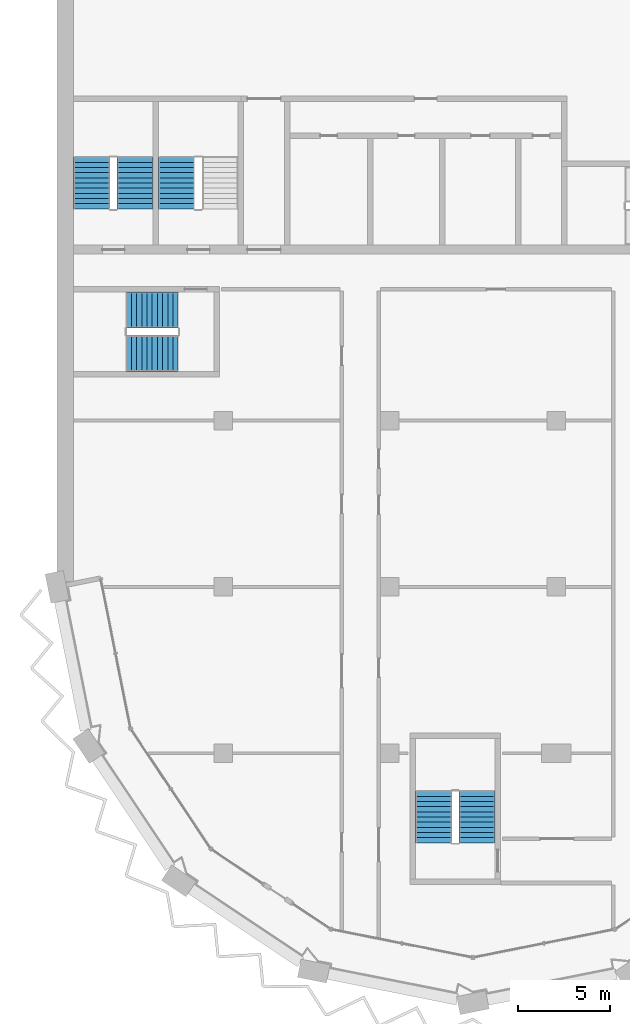
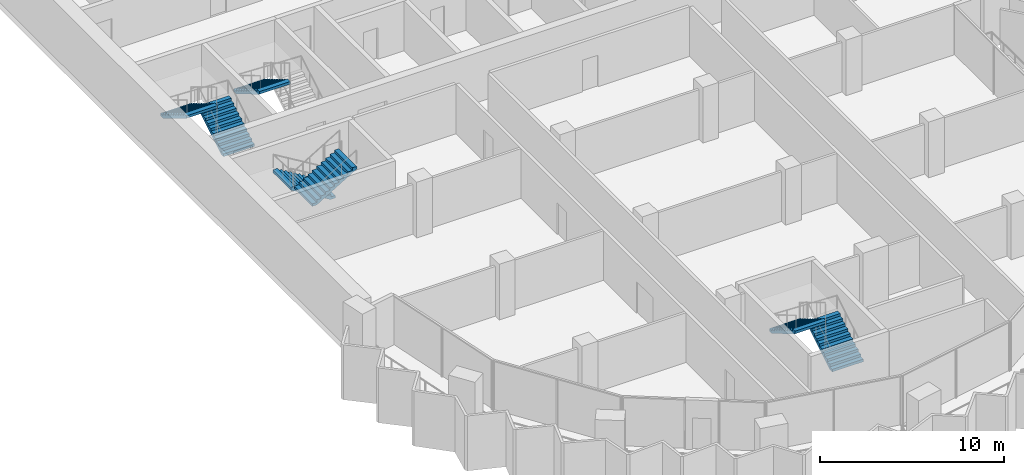
# One storey, part 11 of 16: 7 stair flights, 4 elements without a shape of their own.
"""IFC4 building model written with IfcOpenShell, lengths in metres."""

from ifc_helpers import new_model, si_unit, direction, frame, origin, place, context, subcontext, project, spatial, polyline, outline, extrude, material, type_object, element, aggregate, save


model = new_model("IFC4")

# Units and contexts
model_context = context("Model", 3, precision=1e-05, world=origin(), true_north=direction((0.0, 1.0)))
body_context = subcontext(model_context, "Body", "Model", "MODEL_VIEW")
ifc_project = project(units=[si_unit("LENGTHUNIT", "METRE"), si_unit("AREAUNIT", "SQUARE_METRE"), si_unit("VOLUMEUNIT", "CUBIC_METRE"), si_unit("PLANEANGLEUNIT", "RADIAN"), si_unit("MASSUNIT", "GRAM", prefix="KILO")], contexts=[model_context])

# Site, building, storey
site_placement = place(None, origin())
site = spatial("IfcSite", under=ifc_project, at=site_placement, CompositionType="ELEMENT")
building_placement = place(site_placement, origin())
building = spatial("IfcBuilding", under=site, at=building_placement, Name="Hunhe Ridgeline Campus", CompositionType="ELEMENT")
storey_placement = place(building_placement, frame((0.0, 0.0, 250.300048828125)))
storey = spatial("IfcBuildingStorey", under=building, at=storey_placement, Name="L64", CompositionType="ELEMENT", Elevation=250.300048828125)

# Stair, stair flights
ifc_material = material(Name="Concrete C40", Category="concrete")
stair_type = type_object("IfcStairType", Name="Reinforced concrete dog-leg stair 1950 Concrete C40", PredefinedType="HALF_TURN_STAIR", material=ifc_material)
stair_1_placement = place(storey_placement, origin())
stair_1 = element("IfcStair", 1, at=stair_1_placement, inside=storey, type_object=stair_type, Name="L64 S3", PredefinedType="HALF_TURN_STAIR")
stair_flight_type = type_object("IfcStairFlightType", Name="Reinforced concrete stair flight 1950 Concrete C40", PredefinedType="STRAIGHT", material=ifc_material)
stair_flight_1_placement = place(storey_placement, frame((4.22509765625, 65.449951171875, 0.0), z_axis=(0.0, 0.0, 1.0), x_axis=(0.0, 1.0, 0.0)))
stair_flight_1 = element("IfcStairFlight", 2, at=stair_flight_1_placement, type_object=stair_flight_type, Name="ST3 flight 1", NumberOfRisers=11, NumberOfTreads=10, PredefinedType="STRAIGHT", RiserHeight=0.168181818, TreadLength=0.28, context=body_context, shape_type="SweptSolid", body=[
    extrude(outline(polyline([(0.0, 0.0), (0.0, 0.168212890625), (0.280029296875, 0.168212890625), (0.280029296875, 0.33642578125), (0.56005859375, 0.33642578125), (0.56005859375, 0.504638671875), (0.840087890625, 0.504638671875), (0.840087890625, 0.672607421875), (1.1201171875, 0.672607421875), (1.1201171875, 0.8408203125), (1.39990234375, 0.8408203125), (1.39990234375, 1.009033203125), (1.679931640625, 1.009033203125), (1.679931640625, 1.17724609375), (1.9599609375, 1.17724609375), (1.9599609375, 1.345458984375), (2.239990234375, 1.345458984375), (2.239990234375, 1.513671875), (2.52001953125, 1.513671875), (2.52001953125, 1.681884765625), (2.800048828125, 1.681884765625), (2.800048828125, 1.85009765625), (2.800048828125, 1.5068359375), (0.291015625, 0.0), (0.0, 0.0)])), frame((0.0, 0.97509765625, 0.0), z_axis=(0.0, -1.0, 0.0), x_axis=(1.0, 0.0, 0.0)), (0.0, 0.0, 1.0), 1.949951171875),
    extrude(outline(polyline([(0.030029296875, 0.030029296875), (0.030029296875, 0.13818359375), (0.31005859375, 0.13818359375), (0.31005859375, 0.306396484375), (0.590087890625, 0.306396484375), (0.590087890625, 0.474609375), (0.8701171875, 0.474609375), (0.8701171875, 0.642578125), (1.14990234375, 0.642578125), (1.14990234375, 0.810791015625), (1.429931640625, 0.810791015625), (1.429931640625, 0.97900390625), (1.7099609375, 0.97900390625), (1.7099609375, 1.147216796875), (1.989990234375, 1.147216796875), (1.989990234375, 1.3154296875), (2.27001953125, 1.3154296875), (2.27001953125, 1.483642578125), (2.550048828125, 1.483642578125), (2.550048828125, 1.65185546875), (2.77001953125, 1.65185546875), (2.77001953125, 1.52392578125), (0.28271484375, 0.030029296875), (0.030029296875, 0.030029296875)])), frame((0.0, -0.070068359375, 0.0), z_axis=(0.0, -1.0, 0.0), x_axis=(1.0, 0.0, 0.0)), (0.0, 0.0, 1.0), 0.019775390625),
    extrude(outline(polyline([(0.030029296875, 0.030029296875), (0.030029296875, 0.13818359375), (0.31005859375, 0.13818359375), (0.31005859375, 0.306396484375), (0.590087890625, 0.306396484375), (0.590087890625, 0.474609375), (0.8701171875, 0.474609375), (0.8701171875, 0.642578125), (1.14990234375, 0.642578125), (1.14990234375, 0.810791015625), (1.429931640625, 0.810791015625), (1.429931640625, 0.97900390625), (1.7099609375, 0.97900390625), (1.7099609375, 1.147216796875), (1.989990234375, 1.147216796875), (1.989990234375, 1.3154296875), (2.27001953125, 1.3154296875), (2.27001953125, 1.483642578125), (2.550048828125, 1.483642578125), (2.550048828125, 1.65185546875), (2.77001953125, 1.65185546875), (2.77001953125, 1.52392578125), (0.28271484375, 0.030029296875), (0.030029296875, 0.030029296875)])), frame((0.0, 0.010009765625, 0.0), z_axis=(0.0, -1.0, 0.0), x_axis=(1.0, 0.0, 0.0)), (0.0, 0.0, 1.0), 0.019775390625),
    extrude(outline(polyline([(0.030029296875, 0.030029296875), (0.030029296875, 0.13818359375), (0.31005859375, 0.13818359375), (0.31005859375, 0.306396484375), (0.590087890625, 0.306396484375), (0.590087890625, 0.474609375), (0.8701171875, 0.474609375), (0.8701171875, 0.642578125), (1.14990234375, 0.642578125), (1.14990234375, 0.810791015625), (1.429931640625, 0.810791015625), (1.429931640625, 0.97900390625), (1.7099609375, 0.97900390625), (1.7099609375, 1.147216796875), (1.989990234375, 1.147216796875), (1.989990234375, 1.3154296875), (2.27001953125, 1.3154296875), (2.27001953125, 1.483642578125), (2.550048828125, 1.483642578125), (2.550048828125, 1.65185546875), (2.77001953125, 1.65185546875), (2.77001953125, 1.52392578125), (0.28271484375, 0.030029296875), (0.030029296875, 0.030029296875)])), frame((0.0, 0.090087890625, 0.0), z_axis=(0.0, -1.0, 0.0), x_axis=(1.0, 0.0, 0.0)), (0.0, 0.0, 1.0), 0.019775390625),
])
stair_flight_2_placement = place(storey_placement, frame((1.875, 68.25, 1.849853515625), z_axis=(0.0, 0.0, 1.0), x_axis=(0.0, -1.0, 0.0)))
stair_flight_2 = element("IfcStairFlight", 3, at=stair_flight_2_placement, type_object=stair_flight_type, Name="ST3 flight 2", NumberOfRisers=11, NumberOfTreads=10, PredefinedType="STRAIGHT", RiserHeight=0.168181818, TreadLength=0.28, context=body_context, shape_type="SweptSolid", body=[
    extrude(outline(polyline([(0.0, 0.0), (0.0, 0.168212890625), (0.280029296875, 0.168212890625), (0.280029296875, 0.33642578125), (0.56005859375, 0.33642578125), (0.56005859375, 0.504638671875), (0.840087890625, 0.504638671875), (0.840087890625, 0.672607421875), (1.1201171875, 0.672607421875), (1.1201171875, 0.8408203125), (1.39990234375, 0.8408203125), (1.39990234375, 1.009033203125), (1.679931640625, 1.009033203125), (1.679931640625, 1.17724609375), (1.9599609375, 1.17724609375), (1.9599609375, 1.345458984375), (2.239990234375, 1.345458984375), (2.239990234375, 1.513671875), (2.52001953125, 1.513671875), (2.52001953125, 1.681884765625), (2.800048828125, 1.681884765625), (2.800048828125, 1.85009765625), (2.800048828125, 1.5068359375), (0.291015625, 0.0), (0.0, 0.0)])), frame((0.0, 0.97509765625, 0.0), z_axis=(0.0, -1.0, 0.0), x_axis=(1.0, 0.0, 0.0)), (0.0, 0.0, 1.0), 1.949951171875),
    extrude(outline(polyline([(0.030029296875, 0.030029296875), (0.030029296875, 0.13818359375), (0.31005859375, 0.13818359375), (0.31005859375, 0.306396484375), (0.590087890625, 0.306396484375), (0.590087890625, 0.474609375), (0.8701171875, 0.474609375), (0.8701171875, 0.642578125), (1.14990234375, 0.642578125), (1.14990234375, 0.810791015625), (1.429931640625, 0.810791015625), (1.429931640625, 0.97900390625), (1.7099609375, 0.97900390625), (1.7099609375, 1.147216796875), (1.989990234375, 1.147216796875), (1.989990234375, 1.3154296875), (2.27001953125, 1.3154296875), (2.27001953125, 1.483642578125), (2.550048828125, 1.483642578125), (2.550048828125, 1.65185546875), (2.77001953125, 1.65185546875), (2.77001953125, 1.52392578125), (0.28271484375, 0.030029296875), (0.030029296875, 0.030029296875)])), frame((0.0, -0.070068359375, 0.0), z_axis=(0.0, -1.0, 0.0), x_axis=(1.0, 0.0, 0.0)), (0.0, 0.0, 1.0), 0.019775390625),
    extrude(outline(polyline([(0.030029296875, 0.030029296875), (0.030029296875, 0.13818359375), (0.31005859375, 0.13818359375), (0.31005859375, 0.306396484375), (0.590087890625, 0.306396484375), (0.590087890625, 0.474609375), (0.8701171875, 0.474609375), (0.8701171875, 0.642578125), (1.14990234375, 0.642578125), (1.14990234375, 0.810791015625), (1.429931640625, 0.810791015625), (1.429931640625, 0.97900390625), (1.7099609375, 0.97900390625), (1.7099609375, 1.147216796875), (1.989990234375, 1.147216796875), (1.989990234375, 1.3154296875), (2.27001953125, 1.3154296875), (2.27001953125, 1.483642578125), (2.550048828125, 1.483642578125), (2.550048828125, 1.65185546875), (2.77001953125, 1.65185546875), (2.77001953125, 1.52392578125), (0.28271484375, 0.030029296875), (0.030029296875, 0.030029296875)])), frame((0.0, 0.010009765625, 0.0), z_axis=(0.0, -1.0, 0.0), x_axis=(1.0, 0.0, 0.0)), (0.0, 0.0, 1.0), 0.019775390625),
    extrude(outline(polyline([(0.030029296875, 0.030029296875), (0.030029296875, 0.13818359375), (0.31005859375, 0.13818359375), (0.31005859375, 0.306396484375), (0.590087890625, 0.306396484375), (0.590087890625, 0.474609375), (0.8701171875, 0.474609375), (0.8701171875, 0.642578125), (1.14990234375, 0.642578125), (1.14990234375, 0.810791015625), (1.429931640625, 0.810791015625), (1.429931640625, 0.97900390625), (1.7099609375, 0.97900390625), (1.7099609375, 1.147216796875), (1.989990234375, 1.147216796875), (1.989990234375, 1.3154296875), (2.27001953125, 1.3154296875), (2.27001953125, 1.483642578125), (2.550048828125, 1.483642578125), (2.550048828125, 1.65185546875), (2.77001953125, 1.65185546875), (2.77001953125, 1.52392578125), (0.28271484375, 0.030029296875), (0.030029296875, 0.030029296875)])), frame((0.0, 0.090087890625, 0.0), z_axis=(0.0, -1.0, 0.0), x_axis=(1.0, 0.0, 0.0)), (0.0, 0.0, 1.0), 0.019775390625),
])
aggregate(stair_1, [stair_flight_1, stair_flight_2])

# Stair, stair flight
stair_2_placement = place(storey_placement, origin())
stair_2 = element("IfcStair", 4, at=stair_2_placement, inside=storey, type_object=stair_type, Name="L64 S4", PredefinedType="HALF_TURN_STAIR")
stair_flight_3_placement = place(storey_placement, frame((6.47509765625, 68.25, 1.849853515625), z_axis=(0.0, 0.0, 1.0), x_axis=(0.0, -1.0, 0.0)))
stair_flight_3 = element("IfcStairFlight", 5, at=stair_flight_3_placement, type_object=stair_flight_type, Name="ST4 flight 2", NumberOfRisers=11, NumberOfTreads=10, PredefinedType="STRAIGHT", RiserHeight=0.168181818, TreadLength=0.28, context=body_context, shape_type="SweptSolid", body=[
    extrude(outline(polyline([(0.0, 0.0), (0.0, 0.168212890625), (0.280029296875, 0.168212890625), (0.280029296875, 0.33642578125), (0.56005859375, 0.33642578125), (0.56005859375, 0.504638671875), (0.840087890625, 0.504638671875), (0.840087890625, 0.672607421875), (1.1201171875, 0.672607421875), (1.1201171875, 0.8408203125), (1.39990234375, 0.8408203125), (1.39990234375, 1.009033203125), (1.679931640625, 1.009033203125), (1.679931640625, 1.17724609375), (1.9599609375, 1.17724609375), (1.9599609375, 1.345458984375), (2.239990234375, 1.345458984375), (2.239990234375, 1.513671875), (2.52001953125, 1.513671875), (2.52001953125, 1.681884765625), (2.800048828125, 1.681884765625), (2.800048828125, 1.85009765625), (2.800048828125, 1.5068359375), (0.291015625, 0.0), (0.0, 0.0)])), frame((0.0, 0.97509765625, 0.0), z_axis=(0.0, -1.0, 0.0), x_axis=(1.0, 0.0, 0.0)), (0.0, 0.0, 1.0), 1.949951171875),
    extrude(outline(polyline([(0.030029296875, 0.030029296875), (0.030029296875, 0.13818359375), (0.31005859375, 0.13818359375), (0.31005859375, 0.306396484375), (0.590087890625, 0.306396484375), (0.590087890625, 0.474609375), (0.8701171875, 0.474609375), (0.8701171875, 0.642578125), (1.14990234375, 0.642578125), (1.14990234375, 0.810791015625), (1.429931640625, 0.810791015625), (1.429931640625, 0.97900390625), (1.7099609375, 0.97900390625), (1.7099609375, 1.147216796875), (1.989990234375, 1.147216796875), (1.989990234375, 1.3154296875), (2.27001953125, 1.3154296875), (2.27001953125, 1.483642578125), (2.550048828125, 1.483642578125), (2.550048828125, 1.65185546875), (2.77001953125, 1.65185546875), (2.77001953125, 1.52392578125), (0.28271484375, 0.030029296875), (0.030029296875, 0.030029296875)])), frame((0.0, -0.070068359375, 0.0), z_axis=(0.0, -1.0, 0.0), x_axis=(1.0, 0.0, 0.0)), (0.0, 0.0, 1.0), 0.019775390625),
    extrude(outline(polyline([(0.030029296875, 0.030029296875), (0.030029296875, 0.13818359375), (0.31005859375, 0.13818359375), (0.31005859375, 0.306396484375), (0.590087890625, 0.306396484375), (0.590087890625, 0.474609375), (0.8701171875, 0.474609375), (0.8701171875, 0.642578125), (1.14990234375, 0.642578125), (1.14990234375, 0.810791015625), (1.429931640625, 0.810791015625), (1.429931640625, 0.97900390625), (1.7099609375, 0.97900390625), (1.7099609375, 1.147216796875), (1.989990234375, 1.147216796875), (1.989990234375, 1.3154296875), (2.27001953125, 1.3154296875), (2.27001953125, 1.483642578125), (2.550048828125, 1.483642578125), (2.550048828125, 1.65185546875), (2.77001953125, 1.65185546875), (2.77001953125, 1.52392578125), (0.28271484375, 0.030029296875), (0.030029296875, 0.030029296875)])), frame((0.0, 0.010009765625, 0.0), z_axis=(0.0, -1.0, 0.0), x_axis=(1.0, 0.0, 0.0)), (0.0, 0.0, 1.0), 0.019775390625),
    extrude(outline(polyline([(0.030029296875, 0.030029296875), (0.030029296875, 0.13818359375), (0.31005859375, 0.13818359375), (0.31005859375, 0.306396484375), (0.590087890625, 0.306396484375), (0.590087890625, 0.474609375), (0.8701171875, 0.474609375), (0.8701171875, 0.642578125), (1.14990234375, 0.642578125), (1.14990234375, 0.810791015625), (1.429931640625, 0.810791015625), (1.429931640625, 0.97900390625), (1.7099609375, 0.97900390625), (1.7099609375, 1.147216796875), (1.989990234375, 1.147216796875), (1.989990234375, 1.3154296875), (2.27001953125, 1.3154296875), (2.27001953125, 1.483642578125), (2.550048828125, 1.483642578125), (2.550048828125, 1.65185546875), (2.77001953125, 1.65185546875), (2.77001953125, 1.52392578125), (0.28271484375, 0.030029296875), (0.030029296875, 0.030029296875)])), frame((0.0, 0.090087890625, 0.0), z_axis=(0.0, -1.0, 0.0), x_axis=(1.0, 0.0, 0.0)), (0.0, 0.0, 1.0), 0.019775390625),
])
aggregate(stair_2, [stair_flight_3])

# Stair, stair flights
stair_3_placement = place(storey_placement, origin())
stair_3 = element("IfcStair", 6, at=stair_3_placement, inside=storey, type_object=stair_type, Name="L64 W3", PredefinedType="HALF_TURN_STAIR")
stair_flight_4_placement = place(storey_placement, frame((22.72509765625, 31.14990234375, 0.0), z_axis=(0.0, 0.0, 1.0), x_axis=(0.0, 1.0, 0.0)))
stair_flight_4 = element("IfcStairFlight", 7, at=stair_flight_4_placement, type_object=stair_flight_type, Name="ST9 flight 1", NumberOfRisers=11, NumberOfTreads=10, PredefinedType="STRAIGHT", RiserHeight=0.168181818, TreadLength=0.28, context=body_context, shape_type="SweptSolid", body=[
    extrude(outline(polyline([(0.0, 0.0), (0.0, 0.168212890625), (0.280029296875, 0.168212890625), (0.280029296875, 0.33642578125), (0.56005859375, 0.33642578125), (0.56005859375, 0.504638671875), (0.840087890625, 0.504638671875), (0.840087890625, 0.672607421875), (1.1201171875, 0.672607421875), (1.1201171875, 0.8408203125), (1.39990234375, 0.8408203125), (1.39990234375, 1.009033203125), (1.679931640625, 1.009033203125), (1.679931640625, 1.17724609375), (1.9599609375, 1.17724609375), (1.9599609375, 1.345458984375), (2.239990234375, 1.345458984375), (2.239990234375, 1.513671875), (2.52001953125, 1.513671875), (2.52001953125, 1.681884765625), (2.800048828125, 1.681884765625), (2.800048828125, 1.85009765625), (2.800048828125, 1.5068359375), (0.291015625, 0.0), (0.0, 0.0)])), frame((0.0, 0.97509765625, 0.0), z_axis=(0.0, -1.0, 0.0), x_axis=(1.0, 0.0, 0.0)), (0.0, 0.0, 1.0), 1.949951171875),
    extrude(outline(polyline([(0.030029296875, 0.030029296875), (0.030029296875, 0.13818359375), (0.31005859375, 0.13818359375), (0.31005859375, 0.306396484375), (0.590087890625, 0.306396484375), (0.590087890625, 0.474609375), (0.8701171875, 0.474609375), (0.8701171875, 0.642578125), (1.14990234375, 0.642578125), (1.14990234375, 0.810791015625), (1.429931640625, 0.810791015625), (1.429931640625, 0.97900390625), (1.7099609375, 0.97900390625), (1.7099609375, 1.147216796875), (1.989990234375, 1.147216796875), (1.989990234375, 1.3154296875), (2.27001953125, 1.3154296875), (2.27001953125, 1.483642578125), (2.550048828125, 1.483642578125), (2.550048828125, 1.65185546875), (2.77001953125, 1.65185546875), (2.77001953125, 1.52392578125), (0.28271484375, 0.030029296875), (0.030029296875, 0.030029296875)])), frame((0.0, -0.070068359375, 0.0), z_axis=(0.0, -1.0, 0.0), x_axis=(1.0, 0.0, 0.0)), (0.0, 0.0, 1.0), 0.019775390625),
    extrude(outline(polyline([(0.030029296875, 0.030029296875), (0.030029296875, 0.13818359375), (0.31005859375, 0.13818359375), (0.31005859375, 0.306396484375), (0.590087890625, 0.306396484375), (0.590087890625, 0.474609375), (0.8701171875, 0.474609375), (0.8701171875, 0.642578125), (1.14990234375, 0.642578125), (1.14990234375, 0.810791015625), (1.429931640625, 0.810791015625), (1.429931640625, 0.97900390625), (1.7099609375, 0.97900390625), (1.7099609375, 1.147216796875), (1.989990234375, 1.147216796875), (1.989990234375, 1.3154296875), (2.27001953125, 1.3154296875), (2.27001953125, 1.483642578125), (2.550048828125, 1.483642578125), (2.550048828125, 1.65185546875), (2.77001953125, 1.65185546875), (2.77001953125, 1.52392578125), (0.28271484375, 0.030029296875), (0.030029296875, 0.030029296875)])), frame((0.0, 0.010009765625, 0.0), z_axis=(0.0, -1.0, 0.0), x_axis=(1.0, 0.0, 0.0)), (0.0, 0.0, 1.0), 0.019775390625),
    extrude(outline(polyline([(0.030029296875, 0.030029296875), (0.030029296875, 0.13818359375), (0.31005859375, 0.13818359375), (0.31005859375, 0.306396484375), (0.590087890625, 0.306396484375), (0.590087890625, 0.474609375), (0.8701171875, 0.474609375), (0.8701171875, 0.642578125), (1.14990234375, 0.642578125), (1.14990234375, 0.810791015625), (1.429931640625, 0.810791015625), (1.429931640625, 0.97900390625), (1.7099609375, 0.97900390625), (1.7099609375, 1.147216796875), (1.989990234375, 1.147216796875), (1.989990234375, 1.3154296875), (2.27001953125, 1.3154296875), (2.27001953125, 1.483642578125), (2.550048828125, 1.483642578125), (2.550048828125, 1.65185546875), (2.77001953125, 1.65185546875), (2.77001953125, 1.52392578125), (0.28271484375, 0.030029296875), (0.030029296875, 0.030029296875)])), frame((0.0, 0.090087890625, 0.0), z_axis=(0.0, -1.0, 0.0), x_axis=(1.0, 0.0, 0.0)), (0.0, 0.0, 1.0), 0.019775390625),
])
stair_flight_5_placement = place(storey_placement, frame((20.375, 33.949951171875, 1.849853515625), z_axis=(0.0, 0.0, 1.0), x_axis=(0.0, -1.0, 0.0)))
stair_flight_5 = element("IfcStairFlight", 8, at=stair_flight_5_placement, type_object=stair_flight_type, Name="ST9 flight 2", NumberOfRisers=11, NumberOfTreads=10, PredefinedType="STRAIGHT", RiserHeight=0.168181818, TreadLength=0.28, context=body_context, shape_type="SweptSolid", body=[
    extrude(outline(polyline([(0.0, 0.0), (0.0, 0.168212890625), (0.280029296875, 0.168212890625), (0.280029296875, 0.33642578125), (0.56005859375, 0.33642578125), (0.56005859375, 0.504638671875), (0.840087890625, 0.504638671875), (0.840087890625, 0.672607421875), (1.1201171875, 0.672607421875), (1.1201171875, 0.8408203125), (1.39990234375, 0.8408203125), (1.39990234375, 1.009033203125), (1.679931640625, 1.009033203125), (1.679931640625, 1.17724609375), (1.9599609375, 1.17724609375), (1.9599609375, 1.345458984375), (2.239990234375, 1.345458984375), (2.239990234375, 1.513671875), (2.52001953125, 1.513671875), (2.52001953125, 1.681884765625), (2.800048828125, 1.681884765625), (2.800048828125, 1.85009765625), (2.800048828125, 1.5068359375), (0.291015625, 0.0), (0.0, 0.0)])), frame((0.0, 0.97509765625, 0.0), z_axis=(0.0, -1.0, 0.0), x_axis=(1.0, 0.0, 0.0)), (0.0, 0.0, 1.0), 1.949951171875),
    extrude(outline(polyline([(0.030029296875, 0.030029296875), (0.030029296875, 0.13818359375), (0.31005859375, 0.13818359375), (0.31005859375, 0.306396484375), (0.590087890625, 0.306396484375), (0.590087890625, 0.474609375), (0.8701171875, 0.474609375), (0.8701171875, 0.642578125), (1.14990234375, 0.642578125), (1.14990234375, 0.810791015625), (1.429931640625, 0.810791015625), (1.429931640625, 0.97900390625), (1.7099609375, 0.97900390625), (1.7099609375, 1.147216796875), (1.989990234375, 1.147216796875), (1.989990234375, 1.3154296875), (2.27001953125, 1.3154296875), (2.27001953125, 1.483642578125), (2.550048828125, 1.483642578125), (2.550048828125, 1.65185546875), (2.77001953125, 1.65185546875), (2.77001953125, 1.52392578125), (0.28271484375, 0.030029296875), (0.030029296875, 0.030029296875)])), frame((0.0, -0.070068359375, 0.0), z_axis=(0.0, -1.0, 0.0), x_axis=(1.0, 0.0, 0.0)), (0.0, 0.0, 1.0), 0.019775390625),
    extrude(outline(polyline([(0.030029296875, 0.030029296875), (0.030029296875, 0.13818359375), (0.31005859375, 0.13818359375), (0.31005859375, 0.306396484375), (0.590087890625, 0.306396484375), (0.590087890625, 0.474609375), (0.8701171875, 0.474609375), (0.8701171875, 0.642578125), (1.14990234375, 0.642578125), (1.14990234375, 0.810791015625), (1.429931640625, 0.810791015625), (1.429931640625, 0.97900390625), (1.7099609375, 0.97900390625), (1.7099609375, 1.147216796875), (1.989990234375, 1.147216796875), (1.989990234375, 1.3154296875), (2.27001953125, 1.3154296875), (2.27001953125, 1.483642578125), (2.550048828125, 1.483642578125), (2.550048828125, 1.65185546875), (2.77001953125, 1.65185546875), (2.77001953125, 1.52392578125), (0.28271484375, 0.030029296875), (0.030029296875, 0.030029296875)])), frame((0.0, 0.010009765625, 0.0), z_axis=(0.0, -1.0, 0.0), x_axis=(1.0, 0.0, 0.0)), (0.0, 0.0, 1.0), 0.019775390625),
    extrude(outline(polyline([(0.030029296875, 0.030029296875), (0.030029296875, 0.13818359375), (0.31005859375, 0.13818359375), (0.31005859375, 0.306396484375), (0.590087890625, 0.306396484375), (0.590087890625, 0.474609375), (0.8701171875, 0.474609375), (0.8701171875, 0.642578125), (1.14990234375, 0.642578125), (1.14990234375, 0.810791015625), (1.429931640625, 0.810791015625), (1.429931640625, 0.97900390625), (1.7099609375, 0.97900390625), (1.7099609375, 1.147216796875), (1.989990234375, 1.147216796875), (1.989990234375, 1.3154296875), (2.27001953125, 1.3154296875), (2.27001953125, 1.483642578125), (2.550048828125, 1.483642578125), (2.550048828125, 1.65185546875), (2.77001953125, 1.65185546875), (2.77001953125, 1.52392578125), (0.28271484375, 0.030029296875), (0.030029296875, 0.030029296875)])), frame((0.0, 0.090087890625, 0.0), z_axis=(0.0, -1.0, 0.0), x_axis=(1.0, 0.0, 0.0)), (0.0, 0.0, 1.0), 0.019775390625),
])
aggregate(stair_3, [stair_flight_4, stair_flight_5])

stair_4_placement = place(storey_placement, origin())
stair_4 = element("IfcStair", 9, at=stair_4_placement, inside=storey, type_object=stair_type, Name="L64 W2", PredefinedType="HALF_TURN_STAIR")
stair_flight_6_placement = place(storey_placement, frame((6.550048828125, 59.97509765625, 0.0), z_axis=(0.0, 0.0, 1.0), x_axis=(-1.0, 0.0, 0.0)))
stair_flight_6 = element("IfcStairFlight", 10, at=stair_flight_6_placement, type_object=stair_flight_type, Name="ST12 flight 1", NumberOfRisers=11, NumberOfTreads=10, PredefinedType="STRAIGHT", RiserHeight=0.168181818, TreadLength=0.28, context=body_context, shape_type="SweptSolid", body=[
    extrude(outline(polyline([(0.0, 0.0), (0.0, 0.168212890625), (0.280029296875, 0.168212890625), (0.280029296875, 0.33642578125), (0.56005859375, 0.33642578125), (0.56005859375, 0.504638671875), (0.840087890625, 0.504638671875), (0.840087890625, 0.672607421875), (1.1201171875, 0.672607421875), (1.1201171875, 0.8408203125), (1.39990234375, 0.8408203125), (1.39990234375, 1.009033203125), (1.679931640625, 1.009033203125), (1.679931640625, 1.17724609375), (1.9599609375, 1.17724609375), (1.9599609375, 1.345458984375), (2.239990234375, 1.345458984375), (2.239990234375, 1.513671875), (2.52001953125, 1.513671875), (2.52001953125, 1.681884765625), (2.800048828125, 1.681884765625), (2.800048828125, 1.85009765625), (2.800048828125, 1.5068359375), (0.291015625, 0.0), (0.0, 0.0)])), frame((0.0, 0.97509765625, 0.0), z_axis=(0.0, -1.0, 0.0), x_axis=(1.0, 0.0, 0.0)), (0.0, 0.0, 1.0), 1.949951171875),
    extrude(outline(polyline([(0.030029296875, 0.030029296875), (0.030029296875, 0.13818359375), (0.31005859375, 0.13818359375), (0.31005859375, 0.306396484375), (0.590087890625, 0.306396484375), (0.590087890625, 0.474609375), (0.8701171875, 0.474609375), (0.8701171875, 0.642578125), (1.14990234375, 0.642578125), (1.14990234375, 0.810791015625), (1.429931640625, 0.810791015625), (1.429931640625, 0.97900390625), (1.7099609375, 0.97900390625), (1.7099609375, 1.147216796875), (1.989990234375, 1.147216796875), (1.989990234375, 1.3154296875), (2.27001953125, 1.3154296875), (2.27001953125, 1.483642578125), (2.550048828125, 1.483642578125), (2.550048828125, 1.65185546875), (2.77001953125, 1.65185546875), (2.77001953125, 1.52392578125), (0.28271484375, 0.030029296875), (0.030029296875, 0.030029296875)])), frame((0.0, -0.070068359375, 0.0), z_axis=(0.0, -1.0, 0.0), x_axis=(1.0, 0.0, 0.0)), (0.0, 0.0, 1.0), 0.019775390625),
    extrude(outline(polyline([(0.030029296875, 0.030029296875), (0.030029296875, 0.13818359375), (0.31005859375, 0.13818359375), (0.31005859375, 0.306396484375), (0.590087890625, 0.306396484375), (0.590087890625, 0.474609375), (0.8701171875, 0.474609375), (0.8701171875, 0.642578125), (1.14990234375, 0.642578125), (1.14990234375, 0.810791015625), (1.429931640625, 0.810791015625), (1.429931640625, 0.97900390625), (1.7099609375, 0.97900390625), (1.7099609375, 1.147216796875), (1.989990234375, 1.147216796875), (1.989990234375, 1.3154296875), (2.27001953125, 1.3154296875), (2.27001953125, 1.483642578125), (2.550048828125, 1.483642578125), (2.550048828125, 1.65185546875), (2.77001953125, 1.65185546875), (2.77001953125, 1.52392578125), (0.28271484375, 0.030029296875), (0.030029296875, 0.030029296875)])), frame((0.0, 0.010009765625, 0.0), z_axis=(0.0, -1.0, 0.0), x_axis=(1.0, 0.0, 0.0)), (0.0, 0.0, 1.0), 0.019775390625),
    extrude(outline(polyline([(0.030029296875, 0.030029296875), (0.030029296875, 0.13818359375), (0.31005859375, 0.13818359375), (0.31005859375, 0.306396484375), (0.590087890625, 0.306396484375), (0.590087890625, 0.474609375), (0.8701171875, 0.474609375), (0.8701171875, 0.642578125), (1.14990234375, 0.642578125), (1.14990234375, 0.810791015625), (1.429931640625, 0.810791015625), (1.429931640625, 0.97900390625), (1.7099609375, 0.97900390625), (1.7099609375, 1.147216796875), (1.989990234375, 1.147216796875), (1.989990234375, 1.3154296875), (2.27001953125, 1.3154296875), (2.27001953125, 1.483642578125), (2.550048828125, 1.483642578125), (2.550048828125, 1.65185546875), (2.77001953125, 1.65185546875), (2.77001953125, 1.52392578125), (0.28271484375, 0.030029296875), (0.030029296875, 0.030029296875)])), frame((0.0, 0.090087890625, 0.0), z_axis=(0.0, -1.0, 0.0), x_axis=(1.0, 0.0, 0.0)), (0.0, 0.0, 1.0), 0.019775390625),
])
stair_flight_7_placement = place(storey_placement, frame((3.75, 57.625, 1.849853515625), z_axis=(0.0, 0.0, 1.0), x_axis=(1.0, 0.0, 0.0)))
stair_flight_7 = element("IfcStairFlight", 11, at=stair_flight_7_placement, type_object=stair_flight_type, Name="ST12 flight 2", NumberOfRisers=11, NumberOfTreads=10, PredefinedType="STRAIGHT", RiserHeight=0.168181818, TreadLength=0.28, context=body_context, shape_type="SweptSolid", body=[
    extrude(outline(polyline([(0.0, 0.0), (0.0, 0.168212890625), (0.280029296875, 0.168212890625), (0.280029296875, 0.33642578125), (0.56005859375, 0.33642578125), (0.56005859375, 0.504638671875), (0.840087890625, 0.504638671875), (0.840087890625, 0.672607421875), (1.1201171875, 0.672607421875), (1.1201171875, 0.8408203125), (1.39990234375, 0.8408203125), (1.39990234375, 1.009033203125), (1.679931640625, 1.009033203125), (1.679931640625, 1.17724609375), (1.9599609375, 1.17724609375), (1.9599609375, 1.345458984375), (2.239990234375, 1.345458984375), (2.239990234375, 1.513671875), (2.52001953125, 1.513671875), (2.52001953125, 1.681884765625), (2.800048828125, 1.681884765625), (2.800048828125, 1.85009765625), (2.800048828125, 1.5068359375), (0.291015625, 0.0), (0.0, 0.0)])), frame((0.0, 0.97509765625, 0.0), z_axis=(0.0, -1.0, 0.0), x_axis=(1.0, 0.0, 0.0)), (0.0, 0.0, 1.0), 1.949951171875),
    extrude(outline(polyline([(0.030029296875, 0.030029296875), (0.030029296875, 0.13818359375), (0.31005859375, 0.13818359375), (0.31005859375, 0.306396484375), (0.590087890625, 0.306396484375), (0.590087890625, 0.474609375), (0.8701171875, 0.474609375), (0.8701171875, 0.642578125), (1.14990234375, 0.642578125), (1.14990234375, 0.810791015625), (1.429931640625, 0.810791015625), (1.429931640625, 0.97900390625), (1.7099609375, 0.97900390625), (1.7099609375, 1.147216796875), (1.989990234375, 1.147216796875), (1.989990234375, 1.3154296875), (2.27001953125, 1.3154296875), (2.27001953125, 1.483642578125), (2.550048828125, 1.483642578125), (2.550048828125, 1.65185546875), (2.77001953125, 1.65185546875), (2.77001953125, 1.52392578125), (0.28271484375, 0.030029296875), (0.030029296875, 0.030029296875)])), frame((0.0, -0.070068359375, 0.0), z_axis=(0.0, -1.0, 0.0), x_axis=(1.0, 0.0, 0.0)), (0.0, 0.0, 1.0), 0.019775390625),
    extrude(outline(polyline([(0.030029296875, 0.030029296875), (0.030029296875, 0.13818359375), (0.31005859375, 0.13818359375), (0.31005859375, 0.306396484375), (0.590087890625, 0.306396484375), (0.590087890625, 0.474609375), (0.8701171875, 0.474609375), (0.8701171875, 0.642578125), (1.14990234375, 0.642578125), (1.14990234375, 0.810791015625), (1.429931640625, 0.810791015625), (1.429931640625, 0.97900390625), (1.7099609375, 0.97900390625), (1.7099609375, 1.147216796875), (1.989990234375, 1.147216796875), (1.989990234375, 1.3154296875), (2.27001953125, 1.3154296875), (2.27001953125, 1.483642578125), (2.550048828125, 1.483642578125), (2.550048828125, 1.65185546875), (2.77001953125, 1.65185546875), (2.77001953125, 1.52392578125), (0.28271484375, 0.030029296875), (0.030029296875, 0.030029296875)])), frame((0.0, 0.010009765625, 0.0), z_axis=(0.0, -1.0, 0.0), x_axis=(1.0, 0.0, 0.0)), (0.0, 0.0, 1.0), 0.019775390625),
    extrude(outline(polyline([(0.030029296875, 0.030029296875), (0.030029296875, 0.13818359375), (0.31005859375, 0.13818359375), (0.31005859375, 0.306396484375), (0.590087890625, 0.306396484375), (0.590087890625, 0.474609375), (0.8701171875, 0.474609375), (0.8701171875, 0.642578125), (1.14990234375, 0.642578125), (1.14990234375, 0.810791015625), (1.429931640625, 0.810791015625), (1.429931640625, 0.97900390625), (1.7099609375, 0.97900390625), (1.7099609375, 1.147216796875), (1.989990234375, 1.147216796875), (1.989990234375, 1.3154296875), (2.27001953125, 1.3154296875), (2.27001953125, 1.483642578125), (2.550048828125, 1.483642578125), (2.550048828125, 1.65185546875), (2.77001953125, 1.65185546875), (2.77001953125, 1.52392578125), (0.28271484375, 0.030029296875), (0.030029296875, 0.030029296875)])), frame((0.0, 0.090087890625, 0.0), z_axis=(0.0, -1.0, 0.0), x_axis=(1.0, 0.0, 0.0)), (0.0, 0.0, 1.0), 0.019775390625),
])
aggregate(stair_4, [stair_flight_6, stair_flight_7])

save(model, "model.ifc")
